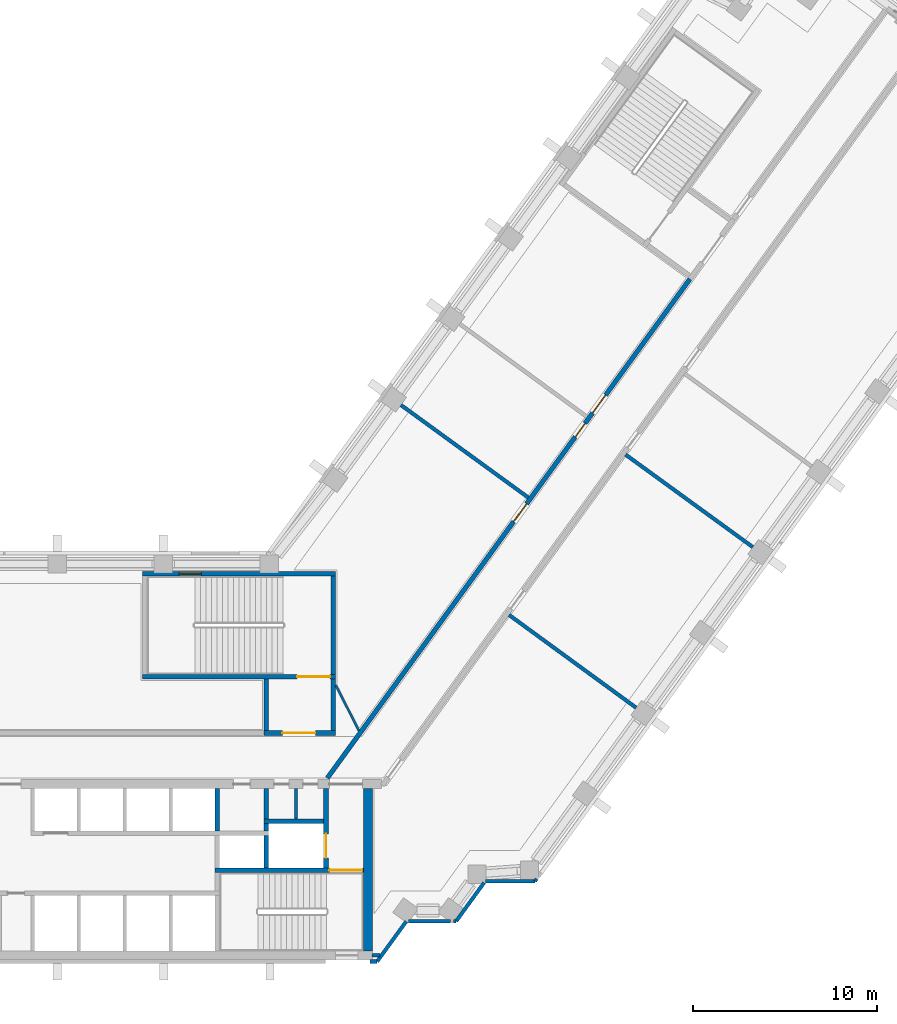
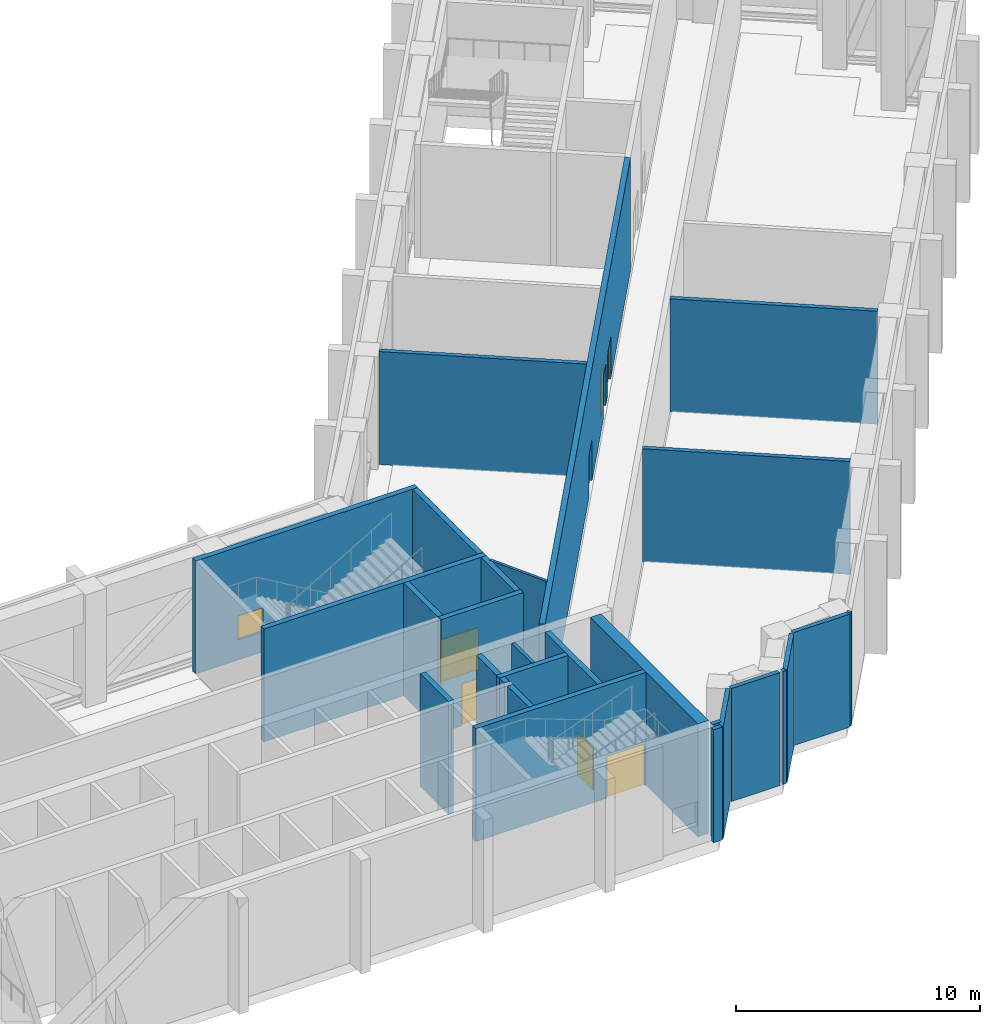
# One storey, part 14 of 19: 28 walls, 7 doors, 1 window, 8 openings.
"""IFC4 building model written with IfcOpenShell, lengths in metres."""

from ifc_helpers import new_model, si_unit, direction, frame, frame_2d, origin, place, context, subcontext, project, spatial, rectangle, extrude, material, layer, layer_set, type_object, element, fill, save


model = new_model("IFC4")

# Units and contexts
model_context = context("Model", 3, precision=1e-05, world=origin(), true_north=direction((0.0, 1.0)))
body_context = subcontext(model_context, "Body", "Model", "MODEL_VIEW")
ifc_project = project(units=[si_unit("LENGTHUNIT", "METRE"), si_unit("AREAUNIT", "SQUARE_METRE"), si_unit("VOLUMEUNIT", "CUBIC_METRE"), si_unit("PLANEANGLEUNIT", "RADIAN"), si_unit("MASSUNIT", "GRAM", prefix="KILO")], contexts=[model_context])

# Site, building, storey
site_placement = place(None, origin())
site = spatial("IfcSite", under=ifc_project, at=site_placement, CompositionType="ELEMENT")
building_placement = place(site_placement, origin())
building = spatial("IfcBuilding", under=site, at=building_placement, Name="Quipu Civic Tower", CompositionType="ELEMENT")
storey_placement = place(building_placement, frame((0.0, 0.0, 25.0)))
storey = spatial("IfcBuildingStorey", under=building, at=storey_placement, Name="L05", CompositionType="ELEMENT", Elevation=25.0)

# Walls
ifc_material_1 = material(Name="Fired clay blockwork", Category="masonry")
ifc_layer_1 = layer(ifc_material_1, 0.199951171875)
ifc_layer_set_1 = layer_set([ifc_layer_1], Name="Fired clay blockwork")
wall_type_1 = type_object("IfcWallType", Name="Blockwork wall 200", PredefinedType="SOLIDWALL", material=ifc_layer_set_1)
wall_1_placement = place(storey_placement, frame((27.412841796875, 7.735107421875, 0.0), z_axis=(0.0, 0.0, 1.0), x_axis=(0.80756437274, -0.589779436639, 0.0)))
element("IfcWall", 1, at=wall_1_placement, inside=storey, type_object=wall_type_1, Name="Partition P01", PredefinedType="SOLIDWALL", context=body_context, shape_type="SweptSolid", body=[
    extrude(rectangle(XDim=8.54443359375, YDim=0.199951171875, at=frame_2d((4.272216796875, 0.0))), origin(), (0.0, 0.0, 1.0), 5.64990234375),
])
wall_2_placement = place(storey_placement, frame((40.64990234375, 11.417724609375, 0.0), z_axis=(0.0, 0.0, 1.0), x_axis=(-0.808967063133, 0.587853970614, 0.0)))
element("IfcWall", 2, at=wall_2_placement, inside=storey, type_object=wall_type_1, Name="Partition P02", PredefinedType="SOLIDWALL", context=body_context, shape_type="SweptSolid", body=[
    extrude(rectangle(XDim=8.544921875, YDim=0.199951171875, at=frame_2d((4.2724609375, 0.0))), origin(), (0.0, 0.0, 1.0), 5.64990234375),
])
wall_3_placement = place(storey_placement, frame((28.457275390625, 14.10791015625, 0.0), z_axis=(0.0, 0.0, 1.0), x_axis=(-0.808976936231, 0.587840383647, 0.0)))
element("IfcWall", 3, at=wall_3_placement, inside=storey, type_object=wall_type_1, Name="Partition P11", PredefinedType="SOLIDWALL", context=body_context, shape_type="SweptSolid", body=[
    extrude(rectangle(XDim=8.545166015625, YDim=0.199951171875, at=frame_2d((4.2724609375, 0.0))), origin(), (0.0, 0.0, 1.0), 5.64990234375),
])

# Wall, opening, door
ifc_material_2 = material(Name="Concrete C70/85", Category="concrete")
ifc_layer_2 = layer(ifc_material_2, 0.25)
ifc_layer_set_2 = layer_set([ifc_layer_2], Name="Concrete C70/85")
wall_type_2 = type_object("IfcWallType", Name="Core wall 250", PredefinedType="SHEAR", material=ifc_layer_set_2)
wall_4_placement = place(storey_placement, frame((19.5, -6.125, 0.0), z_axis=(0.0, 0.0, 1.0), x_axis=(-1.0, 0.0, 0.0)))
wall_4 = element("IfcWall", 4, at=wall_4_placement, inside=storey, type_object=wall_type_2, Name="Core wall", PredefinedType="SHEAR", context=body_context, shape_type="SweptSolid", body=[
    extrude(rectangle(XDim=8.050048828125, YDim=0.25, at=frame_2d((4.02490234375, 0.0))), origin(), (0.0, 0.0, 1.0), 5.64990234375),
])
opening_1_placement = place(wall_4_placement, frame((0.050048828125, 0.0, 0.0)))
opening_1 = element("IfcOpeningElement", 5, at=opening_1_placement, cuts=wall_4, Name="Opening CD-05", PredefinedType="OPENING", context=body_context, shape_type="SweptSolid", body=[
    extrude(rectangle(XDim=1.800048828125, YDim=2.10009765625, at=frame_2d((0.89990234375, 1.050048828125))), frame((0.0, 0.135009765625, 0.0), z_axis=(0.0, -1.0, 0.0), x_axis=(1.0, 0.0, 0.0)), (0.0, 0.0, 1.0), 0.27001953125),
])
ifc_material_3 = material(Name="Fire rated steel door", Category="steel")
door_type_1 = type_object("IfcDoorType", Name="Fire door FD90 double 1800 x 2100", OperationType="NOTDEFINED", PredefinedType="DOOR", material=ifc_material_3)
door_1_placement = place(opening_1_placement, origin())
door_1 = element("IfcDoor", 6, at=door_1_placement, inside=storey, type_object=door_type_1, Name="Door", OperationType="DOUBLE_DOOR_SINGLE_SWING", OverallHeight=2.10009765625, OverallWidth=1.800048828125, PredefinedType="DOOR", context=body_context, shape_type="SweptSolid", body=[
    extrude(rectangle(XDim=1.800048828125, YDim=2.10009765625, at=frame_2d((0.89990234375, 1.050048828125))), frame((0.0, 0.02490234375, 0.0), z_axis=(0.0, -1.0, 0.0), x_axis=(1.0, 0.0, 0.0)), (0.0, 0.0, 1.0), 0.050048828125),
])
fill(opening_1, door_1)

# Wall
wall_5_placement = place(storey_placement, frame((14.22509765625, -6.0, 0.0), z_axis=(0.0, 0.0, 1.0), x_axis=(0.0, 1.0, 0.0)))
element("IfcWall", 7, at=wall_5_placement, inside=storey, type_object=wall_type_2, Name="Core wall", PredefinedType="SHEAR", context=body_context, shape_type="SweptSolid", body=[
    extrude(rectangle(XDim=1.75, YDim=0.25, at=frame_2d((0.875, 0.0))), origin(), (0.0, 0.0, 1.0), 5.64990234375),
])

# Wall, opening, door
wall_6_placement = place(storey_placement, frame((17.47509765625, -6.0, 0.0), z_axis=(0.0, 0.0, 1.0), x_axis=(0.0, 1.0, 0.0)))
wall_6 = element("IfcWall", 8, at=wall_6_placement, inside=storey, type_object=wall_type_2, Name="Core wall", PredefinedType="SHEAR", context=body_context, shape_type="SweptSolid", body=[
    extrude(rectangle(XDim=4.300048828125, YDim=0.25, at=frame_2d((2.14990234375, 0.0))), origin(), (0.0, 0.0, 1.0), 5.64990234375),
])
opening_2_placement = place(wall_6_placement, frame((0.550048828125, 0.0, 0.0)))
opening_2 = element("IfcOpeningElement", 9, at=opening_2_placement, cuts=wall_6, Name="Opening LD-FF2", PredefinedType="OPENING", context=body_context, shape_type="SweptSolid", body=[
    extrude(rectangle(XDim=1.300048828125, YDim=2.10009765625, at=frame_2d((0.64990234375, 1.050048828125))), frame((0.0, 0.135009765625, 0.0), z_axis=(0.0, -1.0, 0.0), x_axis=(1.0, 0.0, 0.0)), (0.0, 0.0, 1.0), 0.27001953125),
])
ifc_material_4 = material(Name="Stainless steel", Category="steel")
door_type_2 = type_object("IfcDoorType", Name="Lift landing door 1300 x 2100", OperationType="DOUBLE_DOOR_SLIDING", PredefinedType="DOOR", material=ifc_material_4)
door_2_placement = place(opening_2_placement, origin())
door_2 = element("IfcDoor", 10, at=door_2_placement, inside=storey, type_object=door_type_2, Name="Landing door FF2", OperationType="DOUBLE_DOOR_SLIDING", OverallHeight=2.10009765625, OverallWidth=1.300048828125, PredefinedType="DOOR", context=body_context, shape_type="SweptSolid", body=[
    extrude(rectangle(XDim=1.300048828125, YDim=2.10009765625, at=frame_2d((0.64990234375, 1.050048828125))), frame((0.0, 0.02490234375, 0.0), z_axis=(0.0, -1.0, 0.0), x_axis=(1.0, 0.0, 0.0)), (0.0, 0.0, 1.0), 0.050048828125),
])
fill(opening_2, door_2)

# Walls
wall_7_placement = place(storey_placement, frame((11.574951171875, -4.0, 0.0), z_axis=(0.0, 0.0, 1.0), x_axis=(0.0, 1.0, 0.0)))
element("IfcWall", 11, at=wall_7_placement, inside=storey, type_object=wall_type_2, Name="Core wall", PredefinedType="SHEAR", context=body_context, shape_type="SweptSolid", body=[
    extrude(rectangle(XDim=2.300048828125, YDim=0.25, at=frame_2d((1.14990234375, 0.0))), origin(), (0.0, 0.0, 1.0), 5.64990234375),
])
wall_8_placement = place(storey_placement, frame((14.22509765625, -4.0, 0.0), z_axis=(0.0, 0.0, 1.0), x_axis=(0.0, 1.0, 0.0)))
element("IfcWall", 12, at=wall_8_placement, inside=storey, type_object=wall_type_2, Name="Core wall", PredefinedType="SHEAR", context=body_context, shape_type="SweptSolid", body=[
    extrude(rectangle(XDim=0.39990234375, YDim=0.25, at=frame_2d((0.199951171875, 0.0))), origin(), (0.0, 0.0, 1.0), 5.64990234375),
])
wall_9_placement = place(storey_placement, frame((14.10009765625, -3.47509765625, 0.0), z_axis=(0.0, 0.0, 1.0), x_axis=(1.0, 0.0, 0.0)))
element("IfcWall", 13, at=wall_9_placement, inside=storey, type_object=wall_type_2, Name="Core wall", PredefinedType="SHEAR", context=body_context, shape_type="SweptSolid", body=[
    extrude(rectangle(XDim=3.25, YDim=0.25, at=frame_2d((1.625, 0.0))), origin(), (0.0, 0.0, 1.0), 5.64990234375),
])
wall_10_placement = place(storey_placement, frame((14.22509765625, -3.35009765625, 0.0), z_axis=(0.0, 0.0, 1.0), x_axis=(0.0, 1.0, 0.0)))
element("IfcWall", 14, at=wall_10_placement, inside=storey, type_object=wall_type_2, Name="Core wall", PredefinedType="SHEAR", context=body_context, shape_type="SweptSolid", body=[
    extrude(rectangle(XDim=1.650146484375, YDim=0.25, at=frame_2d((0.8251953125, 0.0))), origin(), (0.0, 0.0, 1.0), 5.64990234375),
])

# Wall, opening, door
wall_11_placement = place(storey_placement, frame((14.10009765625, 1.324951171875, 0.0), z_axis=(0.0, 0.0, 1.0), x_axis=(1.0, 0.0, 0.0)))
wall_11 = element("IfcWall", 15, at=wall_11_placement, inside=storey, type_object=wall_type_2, Name="Core wall", PredefinedType="SHEAR", context=body_context, shape_type="SweptSolid", body=[
    extrude(rectangle(XDim=3.89990234375, YDim=0.25, at=frame_2d((1.949951171875, 0.0))), origin(), (0.0, 0.0, 1.0), 5.64990234375),
])
opening_3_placement = place(wall_11_placement, frame((1.0, 0.0, 0.0)))
opening_3 = element("IfcOpeningElement", 16, at=opening_3_placement, cuts=wall_11, Name="Opening CD-17", PredefinedType="OPENING", context=body_context, shape_type="SweptSolid", body=[
    extrude(rectangle(XDim=1.800048828125, YDim=2.10009765625, at=frame_2d((0.89990234375, 1.050048828125))), frame((0.0, 0.135009765625, 0.0), z_axis=(0.0, -1.0, 0.0), x_axis=(1.0, 0.0, 0.0)), (0.0, 0.0, 1.0), 0.27001953125),
])
door_3_placement = place(opening_3_placement, origin())
door_3 = element("IfcDoor", 17, at=door_3_placement, inside=storey, type_object=door_type_1, Name="Lobby door", OperationType="DOUBLE_DOOR_SINGLE_SWING", OverallHeight=2.10009765625, OverallWidth=1.800048828125, PredefinedType="DOOR", context=body_context, shape_type="SweptSolid", body=[
    extrude(rectangle(XDim=1.800048828125, YDim=2.10009765625, at=frame_2d((0.89990234375, 1.050048828125))), frame((0.0, 0.02490234375, 0.0), z_axis=(0.0, -1.0, 0.0), x_axis=(1.0, 0.0, 0.0)), (0.0, 0.0, 1.0), 0.050048828125),
])
fill(opening_3, door_3)

# Walls
for number, where, z_axis, x_axis, name in (
    (18, (14.22509765625, 1.449951171875, 0.0), (0.0, 0.0, 1.0), (0.0, 1.0, 0.0), "Core wall"),
    (19, (17.875, 1.449951171875, 0.0), (0.0, 0.0, 1.0), (0.0, 1.0, 0.0), "Core wall"),
):
    element("IfcWall", number, at=place(storey_placement, frame(where, z_axis=z_axis, x_axis=x_axis)), inside=storey, type_object=wall_type_2, Name=name, PredefinedType="SHEAR", context=body_context, shape_type="SweptSolid", body=[
        extrude(rectangle(XDim=2.800048828125, YDim=0.25, at=frame_2d((1.39990234375, 0.0))), origin(), (0.0, 0.0, 1.0), 5.64990234375),
    ])

# Wall, opening, door
wall_12_placement = place(storey_placement, frame((7.5, 4.375, 0.0), z_axis=(0.0, 0.0, 1.0), x_axis=(1.0, 0.0, 0.0)))
wall_12 = element("IfcWall", 20, at=wall_12_placement, inside=storey, type_object=wall_type_2, Name="Core wall", PredefinedType="SHEAR", context=body_context, shape_type="SweptSolid", body=[
    extrude(rectangle(XDim=10.5, YDim=0.25, at=frame_2d((5.25, 0.0))), origin(), (0.0, 0.0, 1.0), 5.64990234375),
])
opening_4_placement = place(wall_12_placement, frame((8.39990234375, 0.0, 0.0)))
opening_4 = element("IfcOpeningElement", 21, at=opening_4_placement, cuts=wall_12, Name="Opening CD-18", PredefinedType="OPENING", context=body_context, shape_type="SweptSolid", body=[
    extrude(rectangle(XDim=1.800048828125, YDim=2.10009765625, at=frame_2d((0.89990234375, 1.050048828125))), frame((0.0, 0.135009765625, 0.0), z_axis=(0.0, -1.0, 0.0), x_axis=(1.0, 0.0, 0.0)), (0.0, 0.0, 1.0), 0.27001953125),
])
door_4_placement = place(opening_4_placement, origin())
door_4 = element("IfcDoor", 22, at=door_4_placement, inside=storey, type_object=door_type_1, Name="Door", OperationType="DOUBLE_DOOR_SINGLE_SWING", OverallHeight=2.10009765625, OverallWidth=1.800048828125, PredefinedType="DOOR", context=body_context, shape_type="SweptSolid", body=[
    extrude(rectangle(XDim=1.800048828125, YDim=2.10009765625, at=frame_2d((0.89990234375, 1.050048828125))), frame((0.0, 0.02490234375, 0.0), z_axis=(0.0, -1.0, 0.0), x_axis=(1.0, 0.0, 0.0)), (0.0, 0.0, 1.0), 0.050048828125),
])
fill(opening_4, door_4)

# Wall
wall_13_placement = place(storey_placement, frame((17.875, 4.5, 0.0), z_axis=(0.0, 0.0, 1.0), x_axis=(0.0, 1.0, 0.0)))
element("IfcWall", 23, at=wall_13_placement, inside=storey, type_object=wall_type_2, Name="Core wall", PredefinedType="SHEAR", context=body_context, shape_type="SweptSolid", body=[
    extrude(rectangle(XDim=5.35009765625, YDim=0.25, at=frame_2d((2.675048828125, 0.0))), origin(), (0.0, 0.0, 1.0), 5.64990234375),
])

# Wall, opening, window
wall_14_placement = place(storey_placement, frame((7.5, 9.97509765625, 0.0), z_axis=(0.0, 0.0, 1.0), x_axis=(1.0, 0.0, 0.0)))
wall_14 = element("IfcWall", 24, at=wall_14_placement, inside=storey, type_object=wall_type_2, Name="Core wall", PredefinedType="SHEAR", context=body_context, shape_type="SweptSolid", body=[
    extrude(rectangle(XDim=10.5, YDim=0.25, at=frame_2d((5.25, 0.0))), origin(), (0.0, 0.0, 1.0), 5.64990234375),
])
opening_5_placement = place(wall_14_placement, frame((2.0, 0.0, 1.0)))
opening_5 = element("IfcOpeningElement", 25, at=opening_5_placement, cuts=wall_14, Name="Opening SV-4", PredefinedType="OPENING", context=body_context, shape_type="SweptSolid", body=[
    extrude(rectangle(XDim=1.199951171875, YDim=1.199951171875, at=frame_2d((0.60009765625, 0.60009765625))), frame((0.0, 0.135009765625, 0.0), z_axis=(0.0, -1.0, 0.0), x_axis=(1.0, 0.0, 0.0)), (0.0, 0.0, 1.0), 0.27001953125),
])
ifc_material_5 = material(Name="Aluminium louvre", Category="aluminium")
window_type = type_object("IfcWindowType", Name="Stair ventilation louvre 1200 x 1200", PartitioningType="SINGLE_PANEL", PredefinedType="WINDOW", material=ifc_material_5)
window_placement = place(opening_5_placement, origin())
window = element("IfcWindow", 26, at=window_placement, inside=storey, type_object=window_type, Name="Stair ventilation opening", OverallHeight=1.199951171875, OverallWidth=1.199951171875, PartitioningType="SINGLE_PANEL", PredefinedType="WINDOW", context=body_context, shape_type="SweptSolid", body=[
    extrude(rectangle(XDim=1.199951171875, YDim=1.199951171875, at=frame_2d((0.60009765625, 0.60009765625))), frame((0.0, 0.030029296875, 0.0), z_axis=(0.0, -1.0, 0.0), x_axis=(1.0, 0.0, 0.0)), (0.0, 0.0, 1.0), 0.06005859375),
])
fill(opening_5, window)

# Wall
ifc_material_6 = material(Name="Concrete C70/85", Category="concrete")
ifc_layer_3 = layer(ifc_material_6, 0.5)
ifc_layer_set_3 = layer_set([ifc_layer_3], Name="Concrete C70/85")
wall_type_3 = type_object("IfcWallType", Name="Core wall 500", PredefinedType="SHEAR", material=ifc_layer_set_3)
wall_15_placement = place(storey_placement, frame((19.75, -10.5, 0.0), z_axis=(0.0, 0.0, 1.0), x_axis=(0.0, 1.0, 0.0)))
element("IfcWall", 27, at=wall_15_placement, inside=storey, type_object=wall_type_3, Name="Core wall", PredefinedType="SHEAR", context=body_context, shape_type="SweptSolid", body=[
    extrude(rectangle(XDim=8.800048828125, YDim=0.5, at=frame_2d((4.39990234375, 0.0))), origin(), (0.0, 0.0, 1.0), 5.64990234375),
])

# Wall, openings, doors
ifc_material_7 = material(Name="Concrete C50/60", Category="concrete")
ifc_layer_4 = layer(ifc_material_7, 0.25)
ifc_layer_set_4 = layer_set([ifc_layer_4], Name="Concrete C50/60")
wall_type_4 = type_object("IfcWallType", Name="Corridor wall 250 concrete", PredefinedType="SOLIDWALL", material=ifc_layer_set_4)
wall_16_placement = place(storey_placement, frame((17.544921875, -1.124755859375, 0.0), z_axis=(0.0, 0.0, 1.0), x_axis=(0.587786323093, 0.809016216391, 0.0)))
wall_16 = element("IfcWall", 28, at=wall_16_placement, inside=storey, type_object=wall_type_4, Name="Corridor wall C08", PredefinedType="SOLIDWALL", context=body_context, shape_type="SweptSolid", body=[
    extrude(rectangle(XDim=33.4931640625, YDim=0.25, at=frame_2d((16.74658203125, 0.0))), origin(), (0.0, 0.0, 1.0), 5.64990234375),
])
opening_6_placement = place(wall_16_placement, frame((24.507568359375, 0.0, 0.0)))
opening_6 = element("IfcOpeningElement", 29, at=opening_6_placement, cuts=wall_16, Name="Opening D003", PredefinedType="OPENING", context=body_context, shape_type="SweptSolid", body=[
    extrude(rectangle(XDim=1.199951171875, YDim=2.10009765625, at=frame_2d((0.60009765625, 1.050048828125))), frame((0.0, 0.135009765625, 0.0), z_axis=(0.0, -1.0, 0.0), x_axis=(1.0, 0.0, 0.0)), (0.0, 0.0, 1.0), 0.27001953125),
])
opening_7_placement = place(wall_16_placement, frame((17.207275390625, 0.0, 0.0)))
opening_7 = element("IfcOpeningElement", 30, at=opening_7_placement, cuts=wall_16, Name="Opening D001", PredefinedType="OPENING", context=body_context, shape_type="SweptSolid", body=[
    extrude(rectangle(XDim=1.199951171875, YDim=2.10009765625, at=frame_2d((0.60009765625, 1.050048828125))), frame((0.0, 0.135009765625, 0.0), z_axis=(0.0, -1.0, 0.0), x_axis=(1.0, 0.0, 0.0)), (0.0, 0.0, 1.0), 0.27001953125),
])
opening_8_placement = place(wall_16_placement, frame((22.907958984375, 0.0, 0.0)))
opening_8 = element("IfcOpeningElement", 31, at=opening_8_placement, cuts=wall_16, Name="Opening D002", PredefinedType="OPENING", context=body_context, shape_type="SweptSolid", body=[
    extrude(rectangle(XDim=0.89990234375, YDim=2.10009765625, at=frame_2d((0.449951171875, 1.050048828125))), frame((0.0, 0.135009765625, 0.0), z_axis=(0.0, -1.0, 0.0), x_axis=(1.0, 0.0, 0.0)), (0.0, 0.0, 1.0), 0.27001953125),
])
ifc_material_8 = material(Name="Fire rated timber door set with metal frame", Category="wood")
door_type_3 = type_object("IfcDoorType", Name="Single door 1200 x 2100 FD60", OperationType="NOTDEFINED", PredefinedType="DOOR", material=ifc_material_8)
door_5_placement = place(opening_6_placement, origin())
door_5 = element("IfcDoor", 32, at=door_5_placement, inside=storey, type_object=door_type_3, Name="Door D003", OperationType="SINGLE_SWING_LEFT", OverallHeight=2.10009765625, OverallWidth=1.199951171875, PredefinedType="DOOR", context=body_context, shape_type="SweptSolid", body=[
    extrude(rectangle(XDim=1.199951171875, YDim=2.10009765625, at=frame_2d((0.60009765625, 1.050048828125))), frame((0.0, 0.02490234375, 0.0), z_axis=(0.0, -1.0, 0.0), x_axis=(1.0, 0.0, 0.0)), (0.0, 0.0, 1.0), 0.050048828125),
])
fill(opening_6, door_5)
door_6_placement = place(opening_7_placement, origin())
door_6 = element("IfcDoor", 33, at=door_6_placement, inside=storey, type_object=door_type_3, Name="Door D001", OperationType="SINGLE_SWING_RIGHT", OverallHeight=2.10009765625, OverallWidth=1.199951171875, PredefinedType="DOOR", context=body_context, shape_type="SweptSolid", body=[
    extrude(rectangle(XDim=1.199951171875, YDim=2.10009765625, at=frame_2d((0.60009765625, 1.050048828125))), frame((0.0, 0.02490234375, 0.0), z_axis=(0.0, -1.0, 0.0), x_axis=(1.0, 0.0, 0.0)), (0.0, 0.0, 1.0), 0.050048828125),
])
fill(opening_7, door_6)
ifc_material_9 = material(Name="Fire rated timber door set with metal frame", Category="wood")
door_type_4 = type_object("IfcDoorType", Name="Single door 900 x 2100 FD60", OperationType="NOTDEFINED", PredefinedType="DOOR", material=ifc_material_9)
door_7_placement = place(opening_8_placement, origin())
door_7 = element("IfcDoor", 34, at=door_7_placement, inside=storey, type_object=door_type_4, Name="Door D002", OperationType="SINGLE_SWING_RIGHT", OverallHeight=2.10009765625, OverallWidth=0.89990234375, PredefinedType="DOOR", context=body_context, shape_type="SweptSolid", body=[
    extrude(rectangle(XDim=0.89990234375, YDim=2.10009765625, at=frame_2d((0.449951171875, 1.050048828125))), frame((0.0, 0.02490234375, 0.0), z_axis=(0.0, -1.0, 0.0), x_axis=(1.0, 0.0, 0.0)), (0.0, 0.0, 1.0), 0.050048828125),
])
fill(opening_8, door_7)

# Walls
ifc_material_10 = material(Name="Gypsum plasterboard on light gauge framing")
ifc_layer_5 = layer(ifc_material_10, 0.1201171875)
ifc_layer_set_5 = layer_set([ifc_layer_5], Name="Gypsum plasterboard on light gauge framing")
wall_type_5 = type_object("IfcWallType", Name="Partition 120 plasterboard", PredefinedType="PARTITIONING", material=ifc_layer_set_5)
wall_17_placement = place(storey_placement, frame((18.0, 3.925048828125, 0.0), z_axis=(0.0, 0.0, 1.0), x_axis=(0.453950796792, -0.891026752736, 0.0)))
element("IfcWall", 35, at=wall_17_placement, inside=storey, type_object=wall_type_5, Name="Partition P14", PredefinedType="PARTITIONING", context=body_context, shape_type="SweptSolid", body=[
    extrude(rectangle(XDim=2.77783203125, YDim=0.1201171875, at=frame_2d((1.388916015625, 0.0))), origin(), (0.0, 0.0, 1.0), 5.64990234375),
])
ifc_material_11 = material(Name="Gypsum board partition")
ifc_layer_6 = layer(ifc_material_11, 0.14990234375)
ifc_layer_set_6 = layer_set([ifc_layer_6], Name="Gypsum board partition")
wall_type_6 = type_object("IfcWallType", Name="Partition 150", PredefinedType="PARTITIONING", material=ifc_layer_set_6)
wall_18_placement = place(storey_placement, frame((15.85009765625, -3.35009765625, 0.0), z_axis=(0.0, 0.0, 1.0), x_axis=(0.0, 1.0, 0.0)))
element("IfcWall", 36, at=wall_18_placement, inside=storey, type_object=wall_type_6, Name="Partition", PredefinedType="PARTITIONING", context=body_context, shape_type="SweptSolid", body=[
    extrude(rectangle(XDim=1.650146484375, YDim=0.14990234375, at=frame_2d((0.8251953125, 0.0))), origin(), (0.0, 0.0, 1.0), 5.64990234375),
])
ifc_material_12 = material(Name="Precast concrete C40/50", Category="concrete")
wall_type_7 = type_object("IfcWallType", Name="Precast cladding wall", PredefinedType="SOLIDWALL", material=ifc_material_12)
wall_19_placement = place(storey_placement, frame((19.85009765625, -11.087890625, 0.0), z_axis=(0.0, 0.0, 1.0), x_axis=(1.0, 0.0, 0.0)))
element("IfcWall", 37, at=wall_19_placement, inside=storey, type_object=wall_type_7, Name="Precast cladding wall L05 20", PredefinedType="SOLIDWALL", context=body_context, shape_type="SweptSolid", body=[
    extrude(rectangle(XDim=0.40576171875, YDim=0.199951171875, at=frame_2d((0.202880859375, 0.0))), origin(), (0.0, 0.0, 1.0), 5.64990234375),
])
wall_20_placement = place(storey_placement, frame((20.253173828125, -11.083251953125, 0.0), z_axis=(0.0, 0.0, 1.0), x_axis=(0.587766567315, 0.809030569476, 0.0)))
element("IfcWall", 38, at=wall_20_placement, inside=storey, type_object=wall_type_7, Name="Precast cladding wall L05 21", PredefinedType="SOLIDWALL", context=body_context, shape_type="SweptSolid", body=[
    extrude(rectangle(XDim=2.687744140625, YDim=0.199951171875, at=frame_2d((1.34375, 0.0))), origin(), (0.0, 0.0, 1.0), 5.64990234375),
])
wall_21_placement = place(storey_placement, frame((21.943359375, -8.90380859375, 0.0), z_axis=(0.0, 0.0, 1.0), x_axis=(1.0, 0.0, 0.0)))
element("IfcWall", 39, at=wall_21_placement, inside=storey, type_object=wall_type_7, Name="Precast cladding wall L05 22", PredefinedType="SOLIDWALL", context=body_context, shape_type="SweptSolid", body=[
    extrude(rectangle(XDim=2.2978515625, YDim=0.199951171875, at=frame_2d((1.14892578125, 0.0))), origin(), (0.0, 0.0, 1.0), 5.64990234375),
])
wall_22_placement = place(storey_placement, frame((24.38671875, -8.90380859375, 0.0), z_axis=(0.0, 0.0, 1.0), x_axis=(1.0, 0.0, 0.0)))
element("IfcWall", 40, at=wall_22_placement, inside=storey, type_object=wall_type_7, Name="Precast cladding wall L05 23", PredefinedType="SOLIDWALL", context=body_context, shape_type="SweptSolid", body=[
    extrude(rectangle(XDim=0.156005859375, YDim=0.199951171875, at=frame_2d((0.078125, 0.0))), origin(), (0.0, 0.0, 1.0), 5.64990234375),
])
wall_23_placement = place(storey_placement, frame((24.540283203125, -8.89892578125, 0.0), z_axis=(0.0, 0.0, 1.0), x_axis=(0.587700286833, 0.809078718578, 0.0)))
element("IfcWall", 41, at=wall_23_placement, inside=storey, type_object=wall_type_7, Name="Precast cladding wall L05 24", PredefinedType="SOLIDWALL", context=body_context, shape_type="SweptSolid", body=[
    extrude(rectangle(XDim=2.587158203125, YDim=0.199951171875, at=frame_2d((1.29345703125, 0.0))), origin(), (0.0, 0.0, 1.0), 5.64990234375),
])
wall_24_placement = place(storey_placement, frame((26.1298828125, -6.71923828125, 0.0), z_axis=(0.0, 0.0, 1.0), x_axis=(1.0, 0.0, 0.0)))
element("IfcWall", 42, at=wall_24_placement, inside=storey, type_object=wall_type_7, Name="Precast cladding wall L05 25", PredefinedType="SOLIDWALL", context=body_context, shape_type="SweptSolid", body=[
    extrude(rectangle(XDim=2.68798828125, YDim=0.199951171875, at=frame_2d((1.343994140625, 0.0))), origin(), (0.0, 0.0, 1.0), 5.64990234375),
])
wall_25_placement = place(storey_placement, frame((28.820068359375, -6.72412109375, 0.0), z_axis=(0.0, 0.0, 1.0), x_axis=(0.588358759446, 0.808600006297, 0.0)))
element("IfcWall", 43, at=wall_25_placement, inside=storey, type_object=wall_type_7, Name="Precast cladding wall L05 26", PredefinedType="SOLIDWALL", context=body_context, shape_type="SweptSolid", body=[
    extrude(rectangle(XDim=0.1552734375, YDim=0.199951171875, at=frame_2d((0.07763671875, 0.0))), origin(), (0.0, 0.0, 1.0), 5.64990234375),
])
wall_26_placement = place(storey_placement, frame((19.97998046875, -10.75, 0.0), z_axis=(0.0, 0.0, 1.0), x_axis=(1.0, 0.0, 0.0)))
element("IfcWall", 44, at=wall_26_placement, inside=storey, type_object=wall_type_7, Name="Precast cladding return L05 E", PredefinedType="SOLIDWALL", context=body_context, shape_type="SweptSolid", body=[
    extrude(rectangle(XDim=0.41650390625, YDim=0.199951171875, at=frame_2d((0.208251953125, 0.0))), origin(), (0.0, 0.0, 1.0), 5.64990234375),
])

save(model, "model.ifc")
